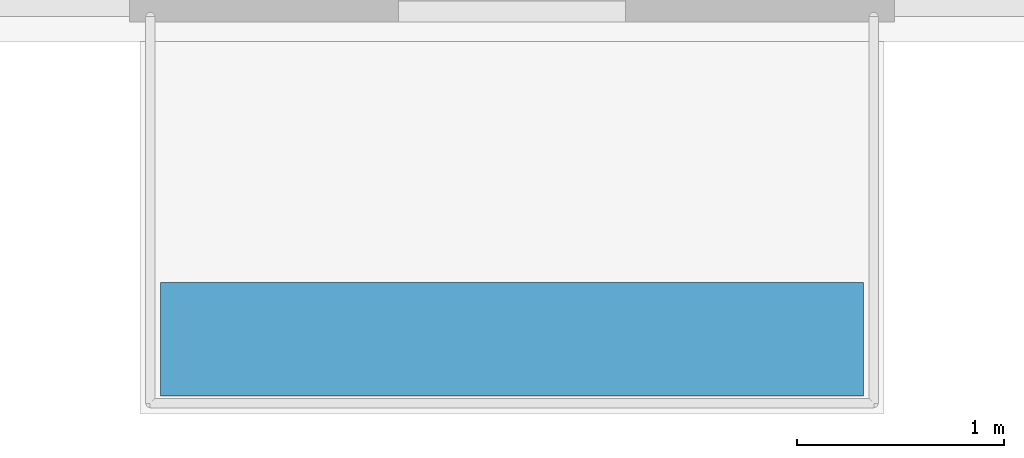
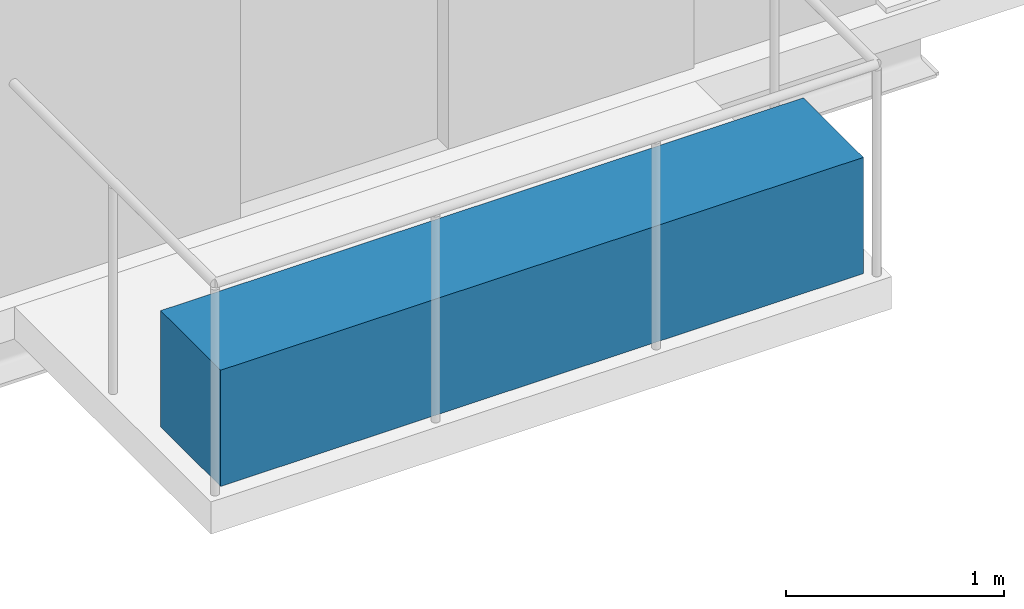
# One storey, part 18 of 19: 1 discrete accessory.
"""IFC4 building model written with IfcOpenShell, lengths in metres."""

from ifc_helpers import new_model, si_unit, direction, frame, origin, origin_2d, place, context, subcontext, project, spatial, rectangle, extrude, material, layer, layer_set, type_object, element, save


model = new_model("IFC4")

# Units and contexts
model_context = context("Model", 3, precision=1e-05, world=origin(), true_north=direction((0.0, 1.0)))
body_context = subcontext(model_context, "Body", "Model", "MODEL_VIEW")
ifc_project = project(units=[si_unit("LENGTHUNIT", "METRE"), si_unit("AREAUNIT", "SQUARE_METRE"), si_unit("VOLUMEUNIT", "CUBIC_METRE"), si_unit("PLANEANGLEUNIT", "RADIAN"), si_unit("MASSUNIT", "GRAM", prefix="KILO")], contexts=[model_context])

# Site, building, storey
site_placement = place(None, origin())
site = spatial("IfcSite", under=ifc_project, at=site_placement, CompositionType="ELEMENT")
building_placement = place(site_placement, origin())
building = spatial("IfcBuilding", under=site, at=building_placement, Name="Noeulbin Bourse Tower", CompositionType="ELEMENT")
storey_placement = place(building_placement, frame((0.0, 0.0, 146.10009765625)))
storey = spatial("IfcBuildingStorey", under=building, at=storey_placement, Name="L36", CompositionType="ELEMENT", Elevation=146.10009765625)

# Discrete accessory
ifc_material = material(Name="Architectural GFRC Concrete C40/50", Category="concrete")
ifc_layer = layer(ifc_material, 0.64990234375)
ifc_layer_set = layer_set([ifc_layer], Name="Architectural GFRC Concrete C40/50")
discrete_accessory_type = type_object("IfcDiscreteAccessoryType", Name="PLANTER-BOX-3600", PredefinedType="USERDEFINED", material=ifc_layer_set)
discrete_accessory_placement = place(storey_placement, frame((40.75, 14.56005859375, 0.0), z_axis=(0.0, 0.0, 1.0), x_axis=(1.0, 0.0, 0.0)))
element("IfcDiscreteAccessory", 1, at=discrete_accessory_placement, inside=storey, type_object=discrete_accessory_type, Name="Integrated Balcony Tree Planter Box L36", ObjectType="PLANTER", PredefinedType="USERDEFINED", context=body_context, shape_type="SweptSolid", body=[
    extrude(rectangle(XDim=3.39990234375, YDim=0.550048828125, at=origin_2d()), origin(), (0.0, 0.0, 1.0), 0.64990234375),
])

save(model, "model.ifc")
